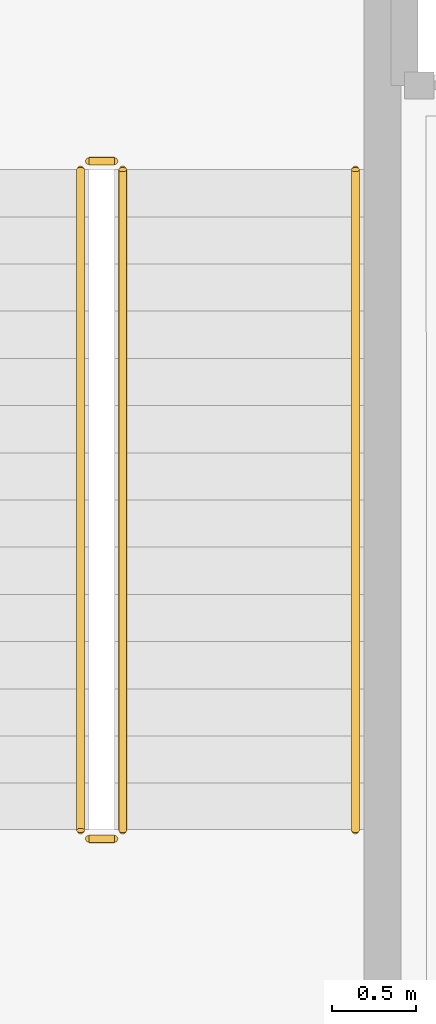
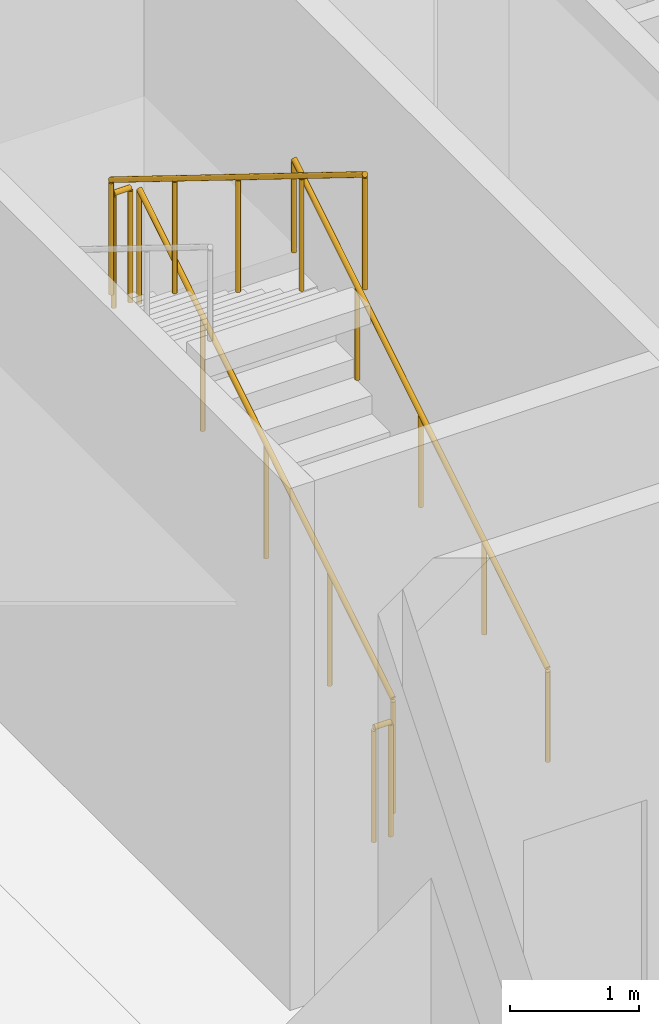
# One storey, part 37 of 39: 5 railings.
"""IFC4 building model written with IfcOpenShell, lengths in metres."""

from ifc_helpers import new_model, si_unit, direction, frame, origin, origin_2d, place, context, subcontext, project, spatial, circle, extrude, material, type_object, element, save


model = new_model("IFC4")

# Units and contexts
model_context = context("Model", 3, precision=1e-05, world=origin(), true_north=direction((0.0, 1.0)))
body_context = subcontext(model_context, "Body", "Model", "MODEL_VIEW")
ifc_project = project(units=[si_unit("LENGTHUNIT", "METRE"), si_unit("AREAUNIT", "SQUARE_METRE"), si_unit("VOLUMEUNIT", "CUBIC_METRE"), si_unit("PLANEANGLEUNIT", "RADIAN"), si_unit("MASSUNIT", "GRAM", prefix="KILO")], contexts=[model_context])

# Site, building, storey
site_placement = place(None, origin())
site = spatial("IfcSite", under=ifc_project, at=site_placement, CompositionType="ELEMENT")
building_placement = place(site_placement, origin())
building = spatial("IfcBuilding", under=site, at=building_placement, Name="Valdorenza Pilgrim Sanctuary Tower", CompositionType="ELEMENT")
storey_placement = place(building_placement, frame((0.0, 0.0, 5.199951171875)))
storey = spatial("IfcBuildingStorey", under=building, at=storey_placement, Name="L01", CompositionType="ELEMENT", Elevation=5.199951171875)

# Railings
ifc_material_1 = material(Name="Stainless steel Grade 316", Category="steel")
railing_type_1 = type_object("IfcRailingType", Name="RLG-GRD-1120", PredefinedType="GUARDRAIL", material=ifc_material_1)
railing_1_placement = place(storey_placement, frame((18.679931640625, 2.3798828125, 0.17333984375)))
element("IfcRailing", 1, at=railing_1_placement, inside=storey, type_object=railing_type_1, Name="L01 ST-B1 stair guard 1", PredefinedType="GUARDRAIL", context=body_context, shape_type="SweptSolid", body=[
    extrude(circle(Radius=0.02392578125, at=origin_2d()), frame((0.0, 0.0, 1.076171875), z_axis=(0.0, 0.850266275192, 0.526352791643), x_axis=(-1.0, 0.0, 0.0)), (0.0, 0.0, 1.0), 4.610595703125),
    extrude(circle(Radius=0.02099609375, at=origin_2d()), origin(), (0.0, 0.0, 1.0), 1.052001953125),
    extrude(circle(Radius=0.02099609375, at=origin_2d()), frame((0.0, 0.97998046875, 0.606689453125)), (0.0, 0.0, 1.0), 1.052001953125),
    extrude(circle(Radius=0.02099609375, at=origin_2d()), frame((0.0, 1.9599609375, 1.21337890625)), (0.0, 0.0, 1.0), 1.052001953125),
    extrude(circle(Radius=0.02099609375, at=origin_2d()), frame((0.0, 2.940185546875, 1.820068359375)), (0.0, 0.0, 1.0), 1.052001953125),
    extrude(circle(Radius=0.02099609375, at=origin_2d()), frame((0.0, 3.920166015625, 2.4267578125)), (0.0, 0.0, 1.0), 1.052001953125),
])
railing_2_placement = place(storey_placement, frame((18.6298828125, 6.35009765625, 2.60009765625)))
element("IfcRailing", 2, at=railing_2_placement, inside=storey, type_object=railing_type_1, Name="L01 ST-B1 stair guard 2", PredefinedType="GUARDRAIL", context=body_context, shape_type="SweptSolid", body=[
    extrude(circle(Radius=0.02392578125, at=origin_2d()), frame((0.0, 0.0, 1.076171875), z_axis=(-1.0, 0.0, 0.0), x_axis=(0.0, -1.0, 0.0)), (0.0, 0.0, 1.0), 0.14990234375),
    extrude(circle(Radius=0.02099609375, at=origin_2d()), origin(), (0.0, 0.0, 1.0), 1.052001953125),
    extrude(circle(Radius=0.02099609375, at=origin_2d()), frame((-0.14990234375, 0.0, 0.0)), (0.0, 0.0, 1.0), 1.052001953125),
])
railing_3_placement = place(storey_placement, frame((18.429931640625, 6.300048828125, 2.7734375)))
element("IfcRailing", 3, at=railing_3_placement, inside=storey, type_object=railing_type_1, Name="L01 ST-B1 stair guard 3", PredefinedType="GUARDRAIL", context=body_context, shape_type="SweptSolid", body=[
    extrude(circle(Radius=0.02392578125, at=origin_2d()), frame((0.0, 0.0, 1.076171875), z_axis=(0.0, -0.850289973577, 0.526314507528), x_axis=(1.0, 0.0, 0.0)), (0.0, 0.0, 1.0), 4.6103515625),
    extrude(circle(Radius=0.02099609375, at=origin_2d()), origin(), (0.0, 0.0, 1.0), 1.052001953125),
    extrude(circle(Radius=0.02099609375, at=origin_2d()), frame((0.0, -0.97998046875, 0.606689453125)), (0.0, 0.0, 1.0), 1.052001953125),
    extrude(circle(Radius=0.02099609375, at=origin_2d()), frame((0.0, -1.9599609375, 1.21337890625)), (0.0, 0.0, 1.0), 1.052001953125),
    extrude(circle(Radius=0.02099609375, at=origin_2d()), frame((0.0, -2.940185546875, 1.81982421875)), (0.0, 0.0, 1.0), 1.052001953125),
    extrude(circle(Radius=0.02099609375, at=origin_2d()), frame((0.0, -3.920166015625, 2.426513671875)), (0.0, 0.0, 1.0), 1.052001953125),
])
railing_4_placement = place(storey_placement, frame((18.6298828125, 2.330078125, 0.0)))
element("IfcRailing", 4, at=railing_4_placement, inside=storey, type_object=railing_type_1, Name="L01 ST-B1 stair guard 4", PredefinedType="GUARDRAIL", context=body_context, shape_type="SweptSolid", body=[
    extrude(circle(Radius=0.02392578125, at=origin_2d()), frame((0.0, 0.0, 1.076171875), z_axis=(-1.0, 0.0, 0.0), x_axis=(0.0, -1.0, 0.0)), (0.0, 0.0, 1.0), 0.14990234375),
    extrude(circle(Radius=0.02099609375, at=origin_2d()), origin(), (0.0, 0.0, 1.0), 1.052001953125),
    extrude(circle(Radius=0.02099609375, at=origin_2d()), frame((-0.14990234375, 0.0, 0.0)), (0.0, 0.0, 1.0), 1.052001953125),
])
ifc_material_2 = material(Name="Brushed stainless steel Grade 316", Category="steel")
railing_type_2 = type_object("IfcRailingType", Name="RLG-HND-920", PredefinedType="HANDRAIL", material=ifc_material_2)
railing_5_placement = place(storey_placement, frame((20.06005859375, 2.3798828125, 0.17333984375)))
element("IfcRailing", 5, at=railing_5_placement, inside=storey, type_object=railing_type_2, Name="L01 ST-B1 stair handrail 1", PredefinedType="HANDRAIL", context=body_context, shape_type="SweptSolid", body=[
    extrude(circle(Radius=0.02392578125, at=origin_2d()), frame((0.0, 0.0, 0.8759765625), z_axis=(0.0, 0.850266275192, 0.526352791643), x_axis=(-1.0, 0.0, 0.0)), (0.0, 0.0, 1.0), 4.610595703125),
    extrude(circle(Radius=0.02099609375, at=origin_2d()), origin(), (0.0, 0.0, 1.0), 0.851806640625),
    extrude(circle(Radius=0.02099609375, at=origin_2d()), frame((0.0, 0.97998046875, 0.606689453125)), (0.0, 0.0, 1.0), 0.851806640625),
    extrude(circle(Radius=0.02099609375, at=origin_2d()), frame((0.0, 1.9599609375, 1.21337890625)), (0.0, 0.0, 1.0), 0.851806640625),
    extrude(circle(Radius=0.02099609375, at=origin_2d()), frame((0.0, 2.940185546875, 1.820068359375)), (0.0, 0.0, 1.0), 0.851806640625),
    extrude(circle(Radius=0.02099609375, at=origin_2d()), frame((0.0, 3.920166015625, 2.4267578125)), (0.0, 0.0, 1.0), 0.851806640625),
])

save(model, "model.ifc")
